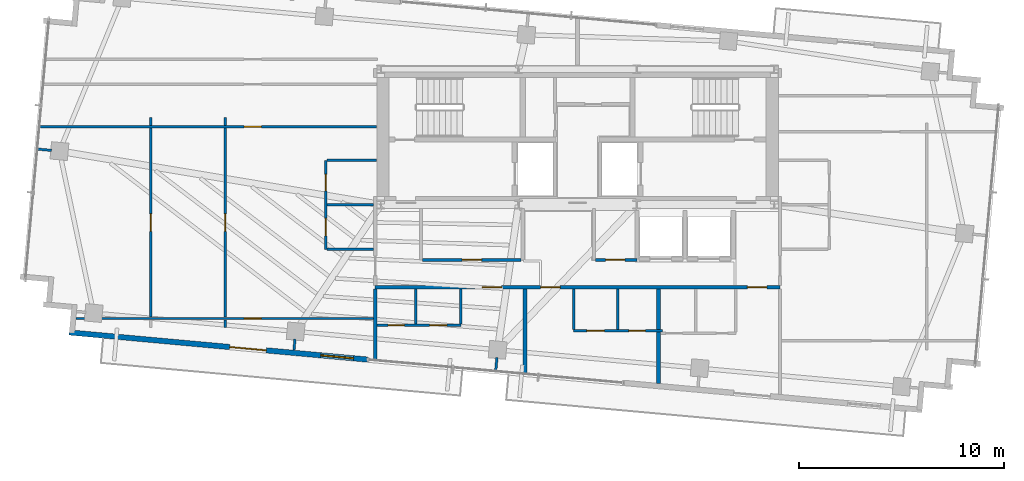
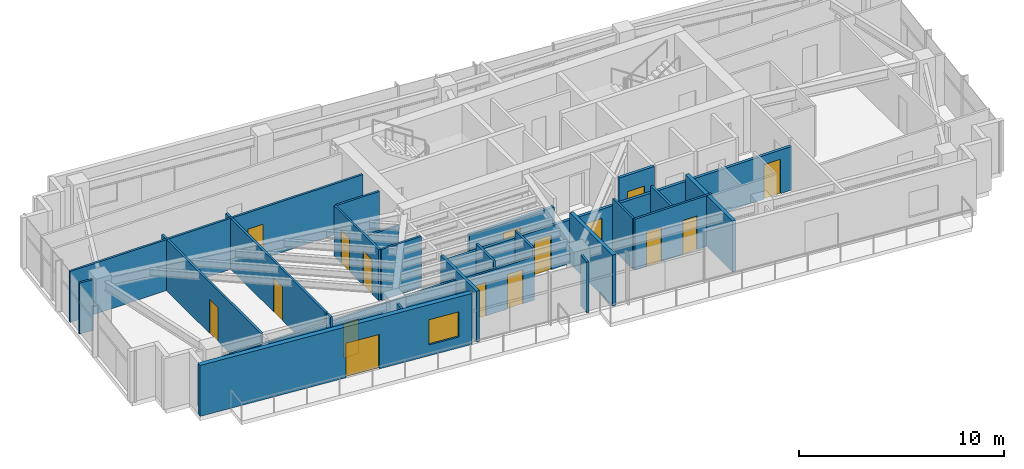
# One storey, part 16 of 22: 28 walls, 16 doors, 1 window, 17 openings.
"""IFC4 building model written with IfcOpenShell, lengths in metres."""

from ifc_helpers import new_model, si_unit, direction, frame, frame_2d, origin, place, context, subcontext, project, spatial, rectangle, extrude, source, transform, mapped, material, layer, layer_set, type_object, type_shapes, element, fill, save


model = new_model("IFC4")

# Units and contexts
model_context = context("Model", 3, precision=1e-05, world=origin(), true_north=direction((0.0, 1.0)))
body_context = subcontext(model_context, "Body", "Model", "MODEL_VIEW")
ifc_project = project(units=[si_unit("LENGTHUNIT", "METRE"), si_unit("AREAUNIT", "SQUARE_METRE"), si_unit("VOLUMEUNIT", "CUBIC_METRE"), si_unit("PLANEANGLEUNIT", "RADIAN"), si_unit("MASSUNIT", "GRAM", prefix="KILO")], contexts=[model_context])

# Site, building, storey
site_placement = place(None, origin())
site = spatial("IfcSite", under=ifc_project, at=site_placement, CompositionType="ELEMENT")
building_placement = place(site_placement, origin())
building = spatial("IfcBuilding", under=site, at=building_placement, Name="Astriad Promenade Condominiums", CompositionType="ELEMENT")
storey_placement = place(building_placement, frame((0.0, 0.0, 239.699951171875)))
storey = spatial("IfcBuildingStorey", under=building, at=storey_placement, Name="L69", CompositionType="ELEMENT", Elevation=239.699951171875)

# Wall, openings, doors
ifc_material_1 = material(Name="Fire-Rated Gypsum Partition")
ifc_layer_1 = layer(ifc_material_1, 0.159912109375)
ifc_layer_set_1 = layer_set([ifc_layer_1], Name="Fire-Rated Gypsum Partition")
wall_type_1 = type_object("IfcWallType", Name="WALL-CORR-160", PredefinedType="PARTITIONING", material=ifc_layer_set_1)
wall_1_placement = place(storey_placement, frame((26.1201171875, 13.360107421875, 0.0), z_axis=(0.0, 0.0, 1.0), x_axis=(1.0, 0.0, 0.0)))
wall_1 = element("IfcWall", 1, at=wall_1_placement, inside=storey, type_object=wall_type_1, Name="PT-COR-S-L69", PredefinedType="PARTITIONING", context=body_context, shape_type="SweptSolid", body=[
    extrude(rectangle(XDim=19.759765625, YDim=0.159912109375, at=frame_2d((9.8798828125, 0.0))), origin(), (0.0, 0.0, 1.0), 2.604736328125),
])
opening_1_placement = place(wall_1_placement, frame((5.220947265625, 0.0, 0.0)))
opening_1 = element("IfcOpeningElement", 2, at=opening_1_placement, cuts=wall_1, Name="Opening FD60-APT-095", PredefinedType="OPENING", context=body_context, shape_type="SweptSolid", body=[
    extrude(rectangle(XDim=0.949951171875, YDim=2.06005859375, at=frame_2d((0.47509765625, 1.030029296875))), frame((0.0, 0.08984375, 0.0), z_axis=(0.0, -1.0, 0.0), x_axis=(1.0, 0.0, 0.0)), (0.0, 0.0, 1.0), 0.179931640625),
])
opening_2_placement = place(wall_1_placement, frame((8.073974609375, 0.0, 0.0)))
opening_2 = element("IfcOpeningElement", 3, at=opening_2_placement, cuts=wall_1, Name="Opening FD60-APT-095", PredefinedType="OPENING", context=body_context, shape_type="SweptSolid", body=[
    extrude(rectangle(XDim=0.949951171875, YDim=2.06005859375, at=frame_2d((0.47509765625, 1.030029296875))), frame((0.0, 0.08984375, 0.0), z_axis=(0.0, -1.0, 0.0), x_axis=(1.0, 0.0, 0.0)), (0.0, 0.0, 1.0), 0.179931640625),
])
opening_3_placement = place(wall_1_placement, frame((18.169921875, 0.0, 0.0)))
opening_3 = element("IfcOpeningElement", 4, at=opening_3_placement, cuts=wall_1, Name="Opening FD60-APT-095", PredefinedType="OPENING", context=body_context, shape_type="SweptSolid", body=[
    extrude(rectangle(XDim=0.949951171875, YDim=2.06005859375, at=frame_2d((0.47509765625, 1.030029296875))), frame((0.0, 0.08984375, 0.0), z_axis=(0.0, -1.0, 0.0), x_axis=(1.0, 0.0, 0.0)), (0.0, 0.0, 1.0), 0.179931640625),
])
ifc_material_2 = material(Name="Solid-Core Acoustic Timber Residence Entry Door", Category="wood")
door_type_1 = type_object("IfcDoorType", Name="FD60-APT-095", OperationType="NOTDEFINED", PredefinedType="DOOR", material=ifc_material_2)
shared_shape_1 = source(origin(), body_context, "Body", "SweptSolid", [
    extrude(rectangle(XDim=0.949951171875, YDim=2.06005859375, at=frame_2d((0.47509765625, 1.030029296875))), frame((0.0, 0.02490234375, 0.0), z_axis=(0.0, -1.0, 0.0), x_axis=(1.0, 0.0, 0.0)), (0.0, 0.0, 1.0), 0.050048828125),
])
type_shapes(door_type_1, [shared_shape_1])
door_1_placement = place(opening_1_placement, origin())
door_1 = element("IfcDoor", 5, at=door_1_placement, inside=storey, type_object=door_type_1, Name="D-ENT-L69-S1", OperationType="SINGLE_SWING_LEFT", OverallHeight=2.06005859375, OverallWidth=0.949951171875, PredefinedType="DOOR", context=body_context, shape_type="MappedRepresentation", body=[
    mapped(shared_shape_1, transform((0.0, 0.0, 0.0), scale=1.0)),
])
fill(opening_1, door_1)
door_2_placement = place(opening_2_placement, origin())
door_2 = element("IfcDoor", 6, at=door_2_placement, inside=storey, type_object=door_type_1, Name="D-ENT-L69-S2", OperationType="SINGLE_SWING_RIGHT", OverallHeight=2.06005859375, OverallWidth=0.949951171875, PredefinedType="DOOR", context=body_context, shape_type="MappedRepresentation", body=[
    mapped(shared_shape_1, transform((0.0, 0.0, 0.0), scale=1.0)),
])
fill(opening_2, door_2)
door_3_placement = place(opening_3_placement, origin())
door_3 = element("IfcDoor", 7, at=door_3_placement, inside=storey, type_object=door_type_1, Name="D-ENT-L69-S3", OperationType="SINGLE_SWING_LEFT", OverallHeight=2.06005859375, OverallWidth=0.949951171875, PredefinedType="DOOR", context=body_context, shape_type="MappedRepresentation", body=[
    mapped(shared_shape_1, transform((0.0, 0.0, 0.0), scale=1.0)),
])
fill(opening_3, door_3)

# Wall
wall_2_placement = place(storey_placement, frame((26.1201171875, 9.75146484375, 0.0), z_axis=(0.0, 0.0, 1.0), x_axis=(0.0, 1.0, 0.0)))
element("IfcWall", 8, at=wall_2_placement, inside=storey, type_object=wall_type_1, Name="PT-COR-W-L69", PredefinedType="PARTITIONING", context=body_context, shape_type="SweptSolid", body=[
    extrude(rectangle(XDim=3.526611328125, YDim=0.159912109375, at=frame_2d((1.76318359375, 0.0))), origin(), (0.0, 0.0, 1.0), 3.0400390625),
])

# Wall, opening, door
wall_3_placement = place(storey_placement, frame((28.44189453125, 14.699951171875, 0.0), z_axis=(0.0, 0.0, 1.0), x_axis=(1.0, 0.0, 0.0)))
wall_3 = element("IfcWall", 9, at=wall_3_placement, inside=storey, type_object=wall_type_1, Name="PT-Z3REC-S-L69", PredefinedType="PARTITIONING", context=body_context, shape_type="SweptSolid", body=[
    extrude(rectangle(XDim=4.796142578125, YDim=0.159912109375, at=frame_2d((2.39794921875, 0.0))), origin(), (0.0, 0.0, 1.0), 2.604736328125),
])
opening_4_placement = place(wall_3_placement, frame((1.923095703125, 0.0, 0.0)))
opening_4 = element("IfcOpeningElement", 10, at=opening_4_placement, cuts=wall_3, Name="Opening FD60-APT-095", PredefinedType="OPENING", context=body_context, shape_type="SweptSolid", body=[
    extrude(rectangle(XDim=0.949951171875, YDim=2.06005859375, at=frame_2d((0.47509765625, 1.030029296875))), frame((0.0, 0.08984375, 0.0), z_axis=(0.0, -1.0, 0.0), x_axis=(1.0, 0.0, 0.0)), (0.0, 0.0, 1.0), 0.179931640625),
])
door_4_placement = place(opening_4_placement, origin())
door_4 = element("IfcDoor", 11, at=door_4_placement, inside=storey, type_object=door_type_1, Name="D-Z3R-L69", OperationType="SINGLE_SWING_RIGHT", OverallHeight=2.06005859375, OverallWidth=0.949951171875, PredefinedType="DOOR", context=body_context, shape_type="MappedRepresentation", body=[
    mapped(shared_shape_1, transform((0.0, 0.0, 0.0), scale=1.0)),
])
fill(opening_4, door_4)

wall_4_placement = place(storey_placement, frame((36.882080078125, 14.699951171875, 0.0), z_axis=(0.0, 0.0, 1.0), x_axis=(1.0, 0.0, 0.0)))
wall_4 = element("IfcWall", 12, at=wall_4_placement, inside=storey, type_object=wall_type_1, Name="PT-Z3R2-S-L69", PredefinedType="PARTITIONING", context=body_context, shape_type="SweptSolid", body=[
    extrude(rectangle(XDim=2.017822265625, YDim=0.159912109375, at=frame_2d((1.0087890625, 0.0))), origin(), (0.0, 0.0, 1.0), 3.0400390625),
])
opening_5_placement = place(wall_4_placement, frame((0.48291015625, 0.0, 0.0)))
opening_5 = element("IfcOpeningElement", 13, at=opening_5_placement, cuts=wall_4, Name="Opening FD60-APT-095", PredefinedType="OPENING", context=body_context, shape_type="SweptSolid", body=[
    extrude(rectangle(XDim=0.949951171875, YDim=2.06005859375, at=frame_2d((0.47509765625, 1.030029296875))), frame((0.0, 0.08984375, 0.0), z_axis=(0.0, -1.0, 0.0), x_axis=(1.0, 0.0, 0.0)), (0.0, 0.0, 1.0), 0.179931640625),
])
door_5_placement = place(opening_5_placement, origin())
door_5 = element("IfcDoor", 14, at=door_5_placement, inside=storey, type_object=door_type_1, Name="D-Z3N-L69", OperationType="SINGLE_SWING_LEFT", OverallHeight=2.06005859375, OverallWidth=0.949951171875, PredefinedType="DOOR", context=body_context, shape_type="MappedRepresentation", body=[
    mapped(shared_shape_1, transform((0.0, 0.0, 0.0), scale=1.0)),
])
fill(opening_5, door_5)

# Walls
ifc_material_3 = material(Name="Acoustic Double-Stud Gypsum Partition")
ifc_layer_2 = layer(ifc_material_3, 0.199951171875)
ifc_layer_set_2 = layer_set([ifc_layer_2], Name="Acoustic Double-Stud Gypsum Partition")
wall_type_2 = type_object("IfcWallType", Name="WALL-DEMISING-200", PredefinedType="PARTITIONING", material=ifc_layer_set_2)
wall_5_placement = place(storey_placement, frame((33.430908203125, 9.086181640625, 0.0), z_axis=(0.0, 0.0, 1.0), x_axis=(0.0, 1.0, 0.0)))
element("IfcWall", 15, at=wall_5_placement, inside=storey, type_object=wall_type_2, Name="PT-DEM-S1-L69", PredefinedType="PARTITIONING", context=body_context, shape_type="SweptSolid", body=[
    extrude(rectangle(XDim=4.19189453125, YDim=0.199951171875, at=frame_2d((2.095947265625, 0.0))), origin(), (0.0, 0.0, 1.0), 3.0400390625),
])
wall_6_placement = place(storey_placement, frame((39.951904296875, 8.67529296875, 0.0), z_axis=(0.0, 0.0, 1.0), x_axis=(0.0, 1.0, 0.0)))
element("IfcWall", 16, at=wall_6_placement, inside=storey, type_object=wall_type_2, Name="PT-DEM-S2-L69", PredefinedType="PARTITIONING", context=body_context, shape_type="SweptSolid", body=[
    extrude(rectangle(XDim=2.51171875, YDim=0.199951171875, at=frame_2d((1.255859375, 0.0))), origin(), (0.0, 0.0, 1.0), 3.0400390625),
])
wall_7_placement = place(storey_placement, frame((39.951904296875, 11.31103515625, 0.0), z_axis=(0.0, 0.0, 1.0), x_axis=(0.0, 1.0, 0.0)))
element("IfcWall", 17, at=wall_7_placement, inside=storey, type_object=wall_type_2, Name="PT-DEM-S2-L69-S2", PredefinedType="PARTITIONING", context=body_context, shape_type="SweptSolid", body=[
    extrude(rectangle(XDim=1.967041015625, YDim=0.199951171875, at=frame_2d((0.9833984375, 0.0))), origin(), (0.0, 0.0, 1.0), 3.0400390625),
])

# Wall, openings, door, window
ifc_material_4 = material(Name="Precast concrete C50/60", Category="concrete")
ifc_layer_3 = layer(ifc_material_4, 0.260009765625)
ifc_layer_set_3 = layer_set([ifc_layer_3], Name="Precast concrete C50/60")
wall_type_3 = type_object("IfcWallType", Name="WALL-EXT-TWR-260", PredefinedType="STANDARD", material=ifc_layer_set_3)
wall_8_placement = place(storey_placement, frame((25.760986328125, 9.83447265625, 0.0), z_axis=(0.0, 0.0, 1.0), x_axis=(-0.995884584572, 0.090630536861, 0.0)))
wall_8 = element("IfcWall", 18, at=wall_8_placement, inside=storey, type_object=wall_type_3, Name="W-EXT-L69-S2", PredefinedType="STANDARD", context=body_context, shape_type="SweptSolid", body=[
    extrude(rectangle(XDim=14.630126953125, YDim=0.260009765625, at=frame_2d((7.31494140625, 0.0))), origin(), (0.0, 0.0, 1.0), 3.0400390625),
])
opening_6_placement = place(wall_8_placement, frame((4.969970703125, 0.0, 0.0)))
opening_6 = element("IfcOpeningElement", 19, at=opening_6_placement, cuts=wall_8, Name="Opening BD-1822-SLD", PredefinedType="OPENING", context=body_context, shape_type="SweptSolid", body=[
    extrude(rectangle(XDim=1.800048828125, YDim=2.06005859375, at=frame_2d((0.89990234375, 1.030029296875))), frame((0.0, 0.139892578125, 0.0), z_axis=(0.0, -1.0, 0.0), x_axis=(1.0, 0.0, 0.0)), (0.0, 0.0, 1.0), 0.280029296875),
])
opening_7_placement = place(wall_8_placement, frame((0.699951171875, 0.0, 0.64990234375)))
opening_7 = element("IfcOpeningElement", 20, at=opening_7_placement, cuts=wall_8, Name="Opening WIN-TWR-1620", PredefinedType="OPENING", context=body_context, shape_type="SweptSolid", body=[
    extrude(rectangle(XDim=1.60009765625, YDim=1.5, at=frame_2d((0.800048828125, 0.75))), frame((0.0, 0.139892578125, 0.0), z_axis=(0.0, -1.0, 0.0), x_axis=(1.0, 0.0, 0.0)), (0.0, 0.0, 1.0), 0.280029296875),
])
ifc_material_5 = material(Name="Thermally Broken Aluminium Sliding Balcony Door", Category="aluminium")
door_type_2 = type_object("IfcDoorType", Name="BD-1822-SLD", OperationType="NOTDEFINED", PredefinedType="DOOR", material=ifc_material_5)
shared_shape_2 = source(origin(), body_context, "Body", "SweptSolid", [
    extrude(rectangle(XDim=1.800048828125, YDim=2.06005859375, at=frame_2d((0.89990234375, 1.030029296875))), frame((0.0, 0.02490234375, 0.0), z_axis=(0.0, -1.0, 0.0), x_axis=(1.0, 0.0, 0.0)), (0.0, 0.0, 1.0), 0.050048828125),
])
type_shapes(door_type_2, [shared_shape_2])
door_6_placement = place(opening_6_placement, origin())
door_6 = element("IfcDoor", 21, at=door_6_placement, inside=storey, type_object=door_type_2, Name="BD-L69-SW", OperationType="SLIDING_TO_LEFT", OverallHeight=2.06005859375, OverallWidth=1.800048828125, PredefinedType="DOOR", context=body_context, shape_type="MappedRepresentation", body=[
    mapped(shared_shape_2, transform((0.0, 0.0, 0.0), scale=1.0)),
])
fill(opening_6, door_6)
ifc_material_6 = material(Name="Dark Tinted Triple-Glazed Aluminium Window", Category="aluminium")
window_type = type_object("IfcWindowType", Name="WIN-TWR-1620", PartitioningType="SINGLE_PANEL", PredefinedType="WINDOW", material=ifc_material_6)
shared_shape_3 = source(origin(), body_context, "Body", "SweptSolid", [
    extrude(rectangle(XDim=1.60009765625, YDim=1.5, at=frame_2d((0.800048828125, 0.75))), frame((0.0, 0.030029296875, 0.0), z_axis=(0.0, -1.0, 0.0), x_axis=(1.0, 0.0, 0.0)), (0.0, 0.0, 1.0), 0.06005859375),
])
type_shapes(window_type, [shared_shape_3])
window_placement = place(opening_7_placement, origin())
window = element("IfcWindow", 22, at=window_placement, inside=storey, type_object=window_type, Name="WIN-L69-SW", OverallHeight=1.5, OverallWidth=1.60009765625, PartitioningType="SINGLE_PANEL", PredefinedType="WINDOW", context=body_context, shape_type="MappedRepresentation", body=[
    mapped(shared_shape_3, transform((0.0, 0.0, 0.0), scale=1.0)),
])
fill(opening_7, window)

# Wall, openings, doors
ifc_material_7 = material(Name="Acoustic Metal-Stud Gypsum Partition")
ifc_layer_4 = layer(ifc_material_7, 0.1201171875)
ifc_layer_set_4 = layer_set([ifc_layer_4], Name="Acoustic Metal-Stud Gypsum Partition")
wall_type_4 = type_object("IfcWallType", Name="WALL-PART-120", PredefinedType="PARTITIONING", material=ifc_layer_set_4)
wall_9_placement = place(storey_placement, frame((26.201904296875, 11.510009765625, 0.0), z_axis=(0.0, 0.0, 1.0), x_axis=(1.0, 0.0, 0.0)))
wall_9 = element("IfcWall", 23, at=wall_9_placement, inside=storey, type_object=wall_type_4, Name="PT-L69-S1-PS", PredefinedType="PARTITIONING", context=body_context, shape_type="SweptSolid", body=[
    extrude(rectangle(XDim=4.09814453125, YDim=0.1201171875, at=frame_2d((2.049072265625, 0.0))), origin(), (0.0, 0.0, 1.0), 2.604736328125),
])
opening_8_placement = place(wall_9_placement, frame((0.548095703125, 0.0, 0.0)))
opening_8 = element("IfcOpeningElement", 24, at=opening_8_placement, cuts=wall_9, Name="Opening D-WET-080", PredefinedType="OPENING", context=body_context, shape_type="SweptSolid", body=[
    extrude(rectangle(XDim=0.800048828125, YDim=2.02001953125, at=frame_2d((0.39990234375, 1.010009765625))), frame((0.0, 0.070068359375, 0.0), z_axis=(0.0, -1.0, 0.0), x_axis=(1.0, 0.0, 0.0)), (0.0, 0.0, 1.0), 0.14013671875),
])
opening_9_placement = place(wall_9_placement, frame((2.572998046875, 0.0, 0.0)))
opening_9 = element("IfcOpeningElement", 25, at=opening_9_placement, cuts=wall_9, Name="Opening D-INT-085", PredefinedType="OPENING", context=body_context, shape_type="SweptSolid", body=[
    extrude(rectangle(XDim=0.85009765625, YDim=2.050048828125, at=frame_2d((0.425048828125, 1.02490234375))), frame((0.0, 0.070068359375, 0.0), z_axis=(0.0, -1.0, 0.0), x_axis=(1.0, 0.0, 0.0)), (0.0, 0.0, 1.0), 0.14013671875),
])
ifc_material_8 = material(Name="Moisture-Resistant Timber Bathroom Door", Category="wood")
door_type_3 = type_object("IfcDoorType", Name="D-WET-080", OperationType="NOTDEFINED", PredefinedType="DOOR", material=ifc_material_8)
shared_shape_4 = source(origin(), body_context, "Body", "SweptSolid", [
    extrude(rectangle(XDim=0.800048828125, YDim=2.02001953125, at=frame_2d((0.39990234375, 1.010009765625))), frame((0.0, 0.02490234375, 0.0), z_axis=(0.0, -1.0, 0.0), x_axis=(1.0, 0.0, 0.0)), (0.0, 0.0, 1.0), 0.050048828125),
])
type_shapes(door_type_3, [shared_shape_4])
door_7_placement = place(opening_8_placement, origin())
door_7 = element("IfcDoor", 26, at=door_7_placement, inside=storey, type_object=door_type_3, Name="D-BTH-L69-S1", OperationType="SINGLE_SWING_RIGHT", OverallHeight=2.02001953125, OverallWidth=0.800048828125, PredefinedType="DOOR", context=body_context, shape_type="MappedRepresentation", body=[
    mapped(shared_shape_4, transform((0.0, 0.0, 0.0), scale=1.0)),
])
fill(opening_8, door_7)
ifc_material_9 = material(Name="Painted Solid-Core Timber Room Door", Category="wood")
door_type_4 = type_object("IfcDoorType", Name="D-INT-085", OperationType="NOTDEFINED", PredefinedType="DOOR", material=ifc_material_9)
shared_shape_5 = source(origin(), body_context, "Body", "SweptSolid", [
    extrude(rectangle(XDim=0.85009765625, YDim=2.050048828125, at=frame_2d((0.425048828125, 1.02490234375))), frame((0.0, 0.02490234375, 0.0), z_axis=(0.0, -1.0, 0.0), x_axis=(1.0, 0.0, 0.0)), (0.0, 0.0, 1.0), 0.050048828125),
])
type_shapes(door_type_4, [shared_shape_5])
door_8_placement = place(opening_9_placement, origin())
door_8 = element("IfcDoor", 27, at=door_8_placement, inside=storey, type_object=door_type_4, Name="D-KIT-L69-S1", OperationType="SINGLE_SWING_LEFT", OverallHeight=2.050048828125, OverallWidth=0.85009765625, PredefinedType="DOOR", context=body_context, shape_type="MappedRepresentation", body=[
    mapped(shared_shape_5, transform((0.0, 0.0, 0.0), scale=1.0)),
])
fill(opening_9, door_8)

# Walls
for number, where, z_axis, x_axis, name in (
    (28, (30.300048828125, 11.572021484375, 0.0), (0.0, 0.0, 1.0), (0.0, 1.0, 0.0), "PT-L69-S1-PK"),
    (29, (28.10009765625, 11.572021484375, 0.0), (0.0, 0.0, 1.0), (0.0, 1.0, 0.0), "PT-L69-S1-PB"),
):
    element("IfcWall", number, at=place(storey_placement, frame(where, z_axis=z_axis, x_axis=x_axis)), inside=storey, type_object=wall_type_4, Name=name, PredefinedType="PARTITIONING", context=body_context, shape_type="SweptSolid", body=[
        extrude(rectangle(XDim=1.7060546875, YDim=0.1201171875, at=frame_2d((0.85302734375, 0.0))), origin(), (0.0, 0.0, 1.0), 3.0400390625),
    ])

# Wall, openings, doors
wall_10_placement = place(storey_placement, frame((35.806884765625, 11.2490234375, 0.0), z_axis=(0.0, 0.0, 1.0), x_axis=(1.0, 0.0, 0.0)))
wall_10 = element("IfcWall", 30, at=wall_10_placement, inside=storey, type_object=wall_type_4, Name="PT-L69-S2-PS", PredefinedType="PARTITIONING", context=body_context, shape_type="SweptSolid", body=[
    extrude(rectangle(XDim=4.34521484375, YDim=0.1201171875, at=frame_2d((2.172607421875, 0.0))), origin(), (0.0, 0.0, 1.0), 3.0400390625),
])
opening_10_placement = place(wall_10_placement, frame((0.64990234375, 0.0, 0.0)))
opening_10 = element("IfcOpeningElement", 31, at=opening_10_placement, cuts=wall_10, Name="Opening D-INT-085", PredefinedType="OPENING", context=body_context, shape_type="SweptSolid", body=[
    extrude(rectangle(XDim=0.85009765625, YDim=2.050048828125, at=frame_2d((0.425048828125, 1.02490234375))), frame((0.0, 0.070068359375, 0.0), z_axis=(0.0, -1.0, 0.0), x_axis=(1.0, 0.0, 0.0)), (0.0, 0.0, 1.0), 0.14013671875),
])
opening_11_placement = place(wall_10_placement, frame((2.697021484375, 0.0, 0.0)))
opening_11 = element("IfcOpeningElement", 32, at=opening_11_placement, cuts=wall_10, Name="Opening D-WET-080", PredefinedType="OPENING", context=body_context, shape_type="SweptSolid", body=[
    extrude(rectangle(XDim=0.800048828125, YDim=2.02001953125, at=frame_2d((0.39990234375, 1.010009765625))), frame((0.0, 0.070068359375, 0.0), z_axis=(0.0, -1.0, 0.0), x_axis=(1.0, 0.0, 0.0)), (0.0, 0.0, 1.0), 0.14013671875),
])
door_9_placement = place(opening_11_placement, origin())
door_9 = element("IfcDoor", 33, at=door_9_placement, inside=storey, type_object=door_type_3, Name="D-BTH-L69-S2", OperationType="SINGLE_SWING_RIGHT", OverallHeight=2.02001953125, OverallWidth=0.800048828125, PredefinedType="DOOR", context=body_context, shape_type="MappedRepresentation", body=[
    mapped(shared_shape_4, transform((0.0, 0.0, 0.0), scale=1.0)),
])
fill(opening_11, door_9)
door_10_placement = place(opening_10_placement, origin())
door_10 = element("IfcDoor", 34, at=door_10_placement, inside=storey, type_object=door_type_4, Name="D-KIT-L69-S2", OperationType="SINGLE_SWING_LEFT", OverallHeight=2.050048828125, OverallWidth=0.85009765625, PredefinedType="DOOR", context=body_context, shape_type="MappedRepresentation", body=[
    mapped(shared_shape_5, transform((0.0, 0.0, 0.0), scale=1.0)),
])
fill(opening_10, door_10)

# Walls
for number, where, z_axis, x_axis, name in (
    (35, (35.806884765625, 11.31103515625, 0.0), (0.0, 0.0, 1.0), (0.0, 1.0, 0.0), "PT-L69-S2-PK"),
    (36, (37.9560546875, 11.31103515625, 0.0), (0.0, 0.0, 1.0), (0.0, 1.0, 0.0), "PT-L69-S2-PB"),
):
    element("IfcWall", number, at=place(storey_placement, frame(where, z_axis=z_axis, x_axis=x_axis)), inside=storey, type_object=wall_type_4, Name=name, PredefinedType="PARTITIONING", context=body_context, shape_type="SweptSolid", body=[
        extrude(rectangle(XDim=1.967041015625, YDim=0.1201171875, at=frame_2d((0.9833984375, 0.0))), origin(), (0.0, 0.0, 1.0), 3.0400390625),
    ])

# Wall, openings, doors
wall_11_placement = place(storey_placement, frame((23.719970703125, 15.2099609375, 0.0), z_axis=(0.0, 0.0, 1.0), x_axis=(0.0, 1.0, 0.0)))
wall_11 = element("IfcWall", 37, at=wall_11_placement, inside=storey, type_object=wall_type_4, Name="PT-L69-W1-PV", PredefinedType="PARTITIONING", context=body_context, shape_type="SweptSolid", body=[
    extrude(rectangle(XDim=4.35009765625, YDim=0.1201171875, at=frame_2d((2.175048828125, 0.0))), origin(), (0.0, 0.0, 1.0), 3.0400390625),
])
opening_12_placement = place(wall_11_placement, frame((0.662109375, 0.0, 0.0)))
opening_12 = element("IfcOpeningElement", 38, at=opening_12_placement, cuts=wall_11, Name="Opening D-INT-085", PredefinedType="OPENING", context=body_context, shape_type="SweptSolid", body=[
    extrude(rectangle(XDim=0.85009765625, YDim=2.050048828125, at=frame_2d((0.425048828125, 1.02490234375))), frame((0.0, 0.070068359375, 0.0), z_axis=(0.0, -1.0, 0.0), x_axis=(1.0, 0.0, 0.0)), (0.0, 0.0, 1.0), 0.14013671875),
])
opening_13_placement = place(wall_11_placement, frame((2.863037109375, 0.0, 0.0)))
opening_13 = element("IfcOpeningElement", 39, at=opening_13_placement, cuts=wall_11, Name="Opening D-WET-080", PredefinedType="OPENING", context=body_context, shape_type="SweptSolid", body=[
    extrude(rectangle(XDim=0.800048828125, YDim=2.02001953125, at=frame_2d((0.39990234375, 1.010009765625))), frame((0.0, 0.070068359375, 0.0), z_axis=(0.0, -1.0, 0.0), x_axis=(1.0, 0.0, 0.0)), (0.0, 0.0, 1.0), 0.14013671875),
])
door_11_placement = place(opening_13_placement, origin())
door_11 = element("IfcDoor", 40, at=door_11_placement, inside=storey, type_object=door_type_3, Name="D-BTH-L69-W1", OperationType="SINGLE_SWING_RIGHT", OverallHeight=2.02001953125, OverallWidth=0.800048828125, PredefinedType="DOOR", context=body_context, shape_type="MappedRepresentation", body=[
    mapped(shared_shape_4, transform((0.0, 0.0, 0.0), scale=1.0)),
])
fill(opening_13, door_11)
door_12_placement = place(opening_12_placement, origin())
door_12 = element("IfcDoor", 41, at=door_12_placement, inside=storey, type_object=door_type_4, Name="D-KIT-L69-W1", OperationType="SINGLE_SWING_LEFT", OverallHeight=2.050048828125, OverallWidth=0.85009765625, PredefinedType="DOOR", context=body_context, shape_type="MappedRepresentation", body=[
    mapped(shared_shape_5, transform((0.0, 0.0, 0.0), scale=1.0)),
])
fill(opening_12, door_12)

# Walls
wall_12_placement = place(storey_placement, frame((23.781982421875, 17.385009765625, 0.0), z_axis=(0.0, 0.0, 1.0), x_axis=(1.0, 0.0, 0.0)))
element("IfcWall", 42, at=wall_12_placement, inside=storey, type_object=wall_type_4, Name="PT-L69-W1-PM", PredefinedType="PARTITIONING", context=body_context, shape_type="SweptSolid", body=[
    extrude(rectangle(XDim=2.256103515625, YDim=0.1201171875, at=frame_2d((1.1279296875, 0.0))), origin(), (0.0, 0.0, 1.0), 2.38134765625),
])
wall_13_placement = place(storey_placement, frame((23.781982421875, 15.2099609375, 0.0), z_axis=(0.0, 0.0, 1.0), x_axis=(1.0, 0.0, 0.0)))
element("IfcWall", 43, at=wall_13_placement, inside=storey, type_object=wall_type_4, Name="PT-L69-W1-PS", PredefinedType="PARTITIONING", context=body_context, shape_type="SweptSolid", body=[
    extrude(rectangle(XDim=2.256103515625, YDim=0.1201171875, at=frame_2d((1.1279296875, 0.0))), origin(), (0.0, 0.0, 1.0), 3.0400390625),
])
wall_14_placement = place(storey_placement, frame((23.781982421875, 19.56005859375, 0.0), z_axis=(0.0, 0.0, 1.0), x_axis=(1.0, 0.0, 0.0)))
element("IfcWall", 44, at=wall_14_placement, inside=storey, type_object=wall_type_4, Name="PT-L69-W1-PN", PredefinedType="PARTITIONING", context=body_context, shape_type="SweptSolid", body=[
    extrude(rectangle(XDim=2.416015625, YDim=0.1201171875, at=frame_2d((1.2080078125, 0.0))), origin(), (0.0, 0.0, 1.0), 3.0400390625),
])

# Wall, opening, door
wall_15_placement = place(storey_placement, frame((11.51611328125, 11.840087890625, 0.0), z_axis=(0.0, 0.0, 1.0), x_axis=(1.0, 0.0, 0.0)))
wall_15 = element("IfcWall", 45, at=wall_15_placement, inside=storey, type_object=wall_type_4, Name="PT-L69-W1-WDS3", PredefinedType="PARTITIONING", context=body_context, shape_type="SweptSolid", body=[
    extrude(rectangle(XDim=14.52197265625, YDim=0.1201171875, at=frame_2d((7.260986328125, 0.0))), origin(), (0.0, 0.0, 1.0), 2.482666015625),
])
opening_14_placement = place(wall_15_placement, frame((8.205810546875, 0.0, 0.0)))
opening_14 = element("IfcOpeningElement", 46, at=opening_14_placement, cuts=wall_15, Name="Opening D-INT-085", PredefinedType="OPENING", context=body_context, shape_type="SweptSolid", body=[
    extrude(rectangle(XDim=0.85009765625, YDim=2.050048828125, at=frame_2d((0.425048828125, 1.02490234375))), frame((0.0, 0.070068359375, 0.0), z_axis=(0.0, -1.0, 0.0), x_axis=(1.0, 0.0, 0.0)), (0.0, 0.0, 1.0), 0.14013671875),
])
door_13_placement = place(opening_14_placement, origin())
door_13 = element("IfcDoor", 47, at=door_13_placement, inside=storey, type_object=door_type_4, Name="D-WDS3-L69-W1", OperationType="SINGLE_SWING_LEFT", OverallHeight=2.050048828125, OverallWidth=0.85009765625, PredefinedType="DOOR", context=body_context, shape_type="MappedRepresentation", body=[
    mapped(shared_shape_5, transform((0.0, 0.0, 0.0), scale=1.0)),
])
fill(opening_14, door_13)

wall_16_placement = place(storey_placement, frame((9.6748046875, 21.198974609375, 0.0), z_axis=(0.0, 0.0, 1.0), x_axis=(1.0, 0.0, 0.0)))
wall_16 = element("IfcWall", 48, at=wall_16_placement, inside=storey, type_object=wall_type_4, Name="PT-L69-W1-WDN4", PredefinedType="PARTITIONING", context=body_context, shape_type="SweptSolid", body=[
    extrude(rectangle(XDim=16.523193359375, YDim=0.1201171875, at=frame_2d((8.26171875, 0.0))), origin(), (0.0, 0.0, 1.0), 3.0400390625),
])
opening_15_placement = place(wall_16_placement, frame((10.047119140625, 0.0, 0.0)))
opening_15 = element("IfcOpeningElement", 49, at=opening_15_placement, cuts=wall_16, Name="Opening D-INT-085", PredefinedType="OPENING", context=body_context, shape_type="SweptSolid", body=[
    extrude(rectangle(XDim=0.85009765625, YDim=2.050048828125, at=frame_2d((0.425048828125, 1.02490234375))), frame((0.0, 0.070068359375, 0.0), z_axis=(0.0, -1.0, 0.0), x_axis=(1.0, 0.0, 0.0)), (0.0, 0.0, 1.0), 0.14013671875),
])
door_14_placement = place(opening_15_placement, origin())
door_14 = element("IfcDoor", 50, at=door_14_placement, inside=storey, type_object=door_type_4, Name="D-WDN4-L69-W1", OperationType="SINGLE_SWING_RIGHT", OverallHeight=2.050048828125, OverallWidth=0.85009765625, PredefinedType="DOOR", context=body_context, shape_type="MappedRepresentation", body=[
    mapped(shared_shape_5, transform((0.0, 0.0, 0.0), scale=1.0)),
])
fill(opening_15, door_14)

wall_17_placement = place(storey_placement, frame((15.172119140625, 11.902099609375, 0.0), z_axis=(0.0, 0.0, 1.0), x_axis=(0.0, 1.0, 0.0)))
wall_17 = element("IfcWall", 51, at=wall_17_placement, inside=storey, type_object=wall_type_4, Name="PT-L69-W1-WDV5-S2", PredefinedType="PARTITIONING", context=body_context, shape_type="SweptSolid", body=[
    extrude(rectangle(XDim=9.23486328125, YDim=0.1201171875, at=frame_2d((4.617431640625, 0.0))), origin(), (0.0, 0.0, 1.0), 3.0400390625),
])
opening_16_placement = place(wall_17_placement, frame((4.193115234375, 0.0, 0.0)))
opening_16 = element("IfcOpeningElement", 52, at=opening_16_placement, cuts=wall_17, Name="Opening D-INT-085", PredefinedType="OPENING", context=body_context, shape_type="SweptSolid", body=[
    extrude(rectangle(XDim=0.85009765625, YDim=2.050048828125, at=frame_2d((0.425048828125, 1.02490234375))), frame((0.0, 0.070068359375, 0.0), z_axis=(0.0, -1.0, 0.0), x_axis=(1.0, 0.0, 0.0)), (0.0, 0.0, 1.0), 0.14013671875),
])
door_15_placement = place(opening_16_placement, origin())
door_15 = element("IfcDoor", 53, at=door_15_placement, inside=storey, type_object=door_type_4, Name="D-WDV5-L69-W1", OperationType="SINGLE_SWING_LEFT", OverallHeight=2.050048828125, OverallWidth=0.85009765625, PredefinedType="DOOR", context=body_context, shape_type="MappedRepresentation", body=[
    mapped(shared_shape_5, transform((0.0, 0.0, 0.0), scale=1.0)),
])
fill(opening_16, door_15)

# Walls
wall_18_placement = place(storey_placement, frame((15.172119140625, 21.260986328125, 0.0), z_axis=(0.0, 0.0, 1.0), x_axis=(0.0, 1.0, 0.0)))
element("IfcWall", 54, at=wall_18_placement, inside=storey, type_object=wall_type_4, Name="PT-L69-W1-WDV5-S3", PredefinedType="PARTITIONING", context=body_context, shape_type="SweptSolid", body=[
    extrude(rectangle(XDim=0.3779296875, YDim=0.1201171875, at=frame_2d((0.18896484375, 0.0))), origin(), (0.0, 0.0, 1.0), 3.0400390625),
])
wall_19_placement = place(storey_placement, frame((18.797119140625, 11.39990234375, 0.0), z_axis=(0.0, 0.0, 1.0), x_axis=(0.0, 1.0, 0.0)))
element("IfcWall", 55, at=wall_19_placement, inside=storey, type_object=wall_type_4, Name="PT-L69-W1-WDV6", PredefinedType="PARTITIONING", context=body_context, shape_type="SweptSolid", body=[
    extrude(rectangle(XDim=0.378173828125, YDim=0.1201171875, at=frame_2d((0.18896484375, 0.0))), origin(), (0.0, 0.0, 1.0), 3.0400390625),
])

# Wall, opening, door
wall_20_placement = place(storey_placement, frame((18.797119140625, 11.902099609375, 0.0), z_axis=(0.0, 0.0, 1.0), x_axis=(0.0, 1.0, 0.0)))
wall_20 = element("IfcWall", 56, at=wall_20_placement, inside=storey, type_object=wall_type_4, Name="PT-L69-W1-WDV6-S2", PredefinedType="PARTITIONING", context=body_context, shape_type="SweptSolid", body=[
    extrude(rectangle(XDim=9.23486328125, YDim=0.1201171875, at=frame_2d((4.617431640625, 0.0))), origin(), (0.0, 0.0, 1.0), 3.0400390625),
])
opening_17_placement = place(wall_20_placement, frame((4.193115234375, 0.0, 0.0)))
opening_17 = element("IfcOpeningElement", 57, at=opening_17_placement, cuts=wall_20, Name="Opening D-INT-085", PredefinedType="OPENING", context=body_context, shape_type="SweptSolid", body=[
    extrude(rectangle(XDim=0.85009765625, YDim=2.050048828125, at=frame_2d((0.425048828125, 1.02490234375))), frame((0.0, 0.070068359375, 0.0), z_axis=(0.0, -1.0, 0.0), x_axis=(1.0, 0.0, 0.0)), (0.0, 0.0, 1.0), 0.14013671875),
])
door_16_placement = place(opening_17_placement, origin())
door_16 = element("IfcDoor", 58, at=door_16_placement, inside=storey, type_object=door_type_4, Name="D-WDV6-L69-W1", OperationType="SINGLE_SWING_RIGHT", OverallHeight=2.050048828125, OverallWidth=0.85009765625, PredefinedType="DOOR", context=body_context, shape_type="MappedRepresentation", body=[
    mapped(shared_shape_5, transform((0.0, 0.0, 0.0), scale=1.0)),
])
fill(opening_17, door_16)

# Walls
wall_21_placement = place(storey_placement, frame((18.797119140625, 21.260986328125, 0.0), z_axis=(0.0, 0.0, 1.0), x_axis=(0.0, 1.0, 0.0)))
element("IfcWall", 59, at=wall_21_placement, inside=storey, type_object=wall_type_4, Name="PT-L69-W1-WDV6-S3", PredefinedType="PARTITIONING", context=body_context, shape_type="SweptSolid", body=[
    extrude(rectangle(XDim=0.3779296875, YDim=0.1201171875, at=frame_2d((0.18896484375, 0.0))), origin(), (0.0, 0.0, 1.0), 3.0400390625),
])
wall_22_placement = place(storey_placement, frame((22.206787109375, 10.83056640625, 0.0), z_axis=(0.0, 0.0, 1.0), x_axis=(-0.090781299264, -0.995870852924, 0.0)))
element("IfcWall", 60, at=wall_22_placement, inside=storey, type_object=wall_type_4, Name="PT-PIL-L69-PC02-9", PredefinedType="PARTITIONING", context=body_context, shape_type="SweptSolid", body=[
    extrude(rectangle(XDim=0.537841796875, YDim=0.1201171875, at=frame_2d((0.26904296875, 0.0))), origin(), (0.0, 0.0, 1.0), 3.0400390625),
])
wall_23_placement = place(storey_placement, frame((32.06591796875, 9.933349609375, 0.0), z_axis=(0.0, 0.0, 1.0), x_axis=(-0.090872036342, -0.995862577373, 0.0)))
element("IfcWall", 61, at=wall_23_placement, inside=storey, type_object=wall_type_4, Name="PT-PIL-L69-PC03-10", PredefinedType="PARTITIONING", context=body_context, shape_type="SweptSolid", body=[
    extrude(rectangle(XDim=0.719970703125, YDim=0.1201171875, at=frame_2d((0.35986328125, 0.0))), origin(), (0.0, 0.0, 1.0), 3.0400390625),
])
wall_24_placement = place(storey_placement, frame((10.3330078125, 20.044677734375, 0.0), z_axis=(0.0, 0.0, 1.0), x_axis=(-0.995890573658, 0.09056470228, 0.0)))
element("IfcWall", 62, at=wall_24_placement, inside=storey, type_object=wall_type_4, Name="PT-PIL-L69-PC11-18", PredefinedType="PARTITIONING", context=body_context, shape_type="SweptSolid", body=[
    extrude(rectangle(XDim=0.76025390625, YDim=0.1201171875, at=frame_2d((0.380126953125, 0.0))), origin(), (0.0, 0.0, 1.0), 3.0400390625),
])

save(model, "model.ifc")
